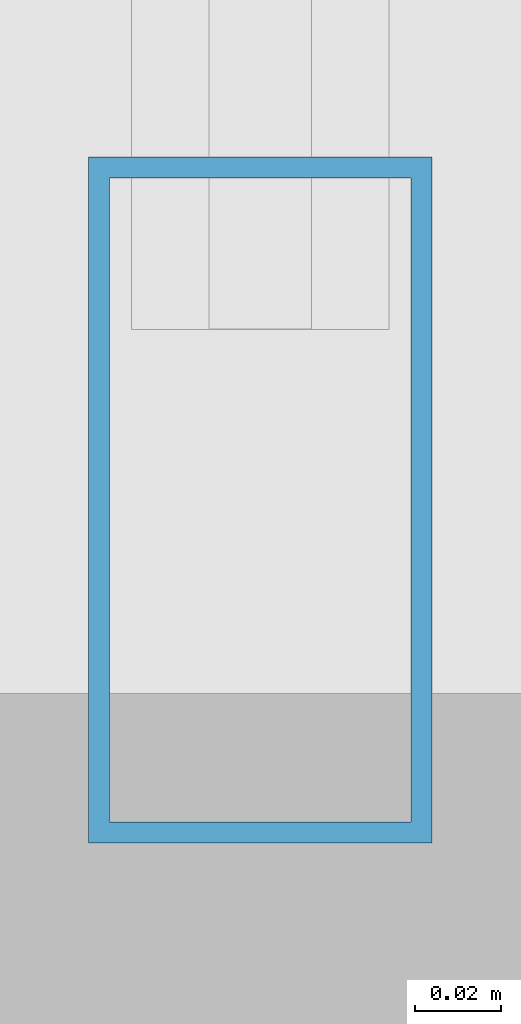
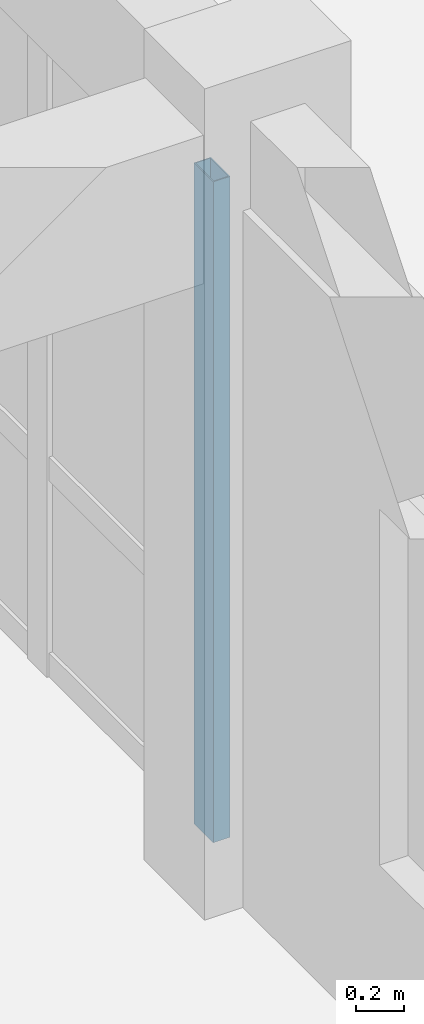
# One storey, part 20 of 121: 1 member, 1 element without a shape of its own.
"""IFC4 building model written with IfcOpenShell, lengths in metres."""

from ifc_helpers import new_model, si_unit, direction, frame, origin, origin_2d, place, context, subcontext, project, spatial, hollow_rectangle, extrude, material, material_profile, profile_set, type_object, element, aggregate, save


model = new_model("IFC4")

# Units and contexts
model_context = context("Model", 3, precision=1e-05, world=origin(), true_north=direction((0.0, 1.0)))
body_context = subcontext(model_context, "Body", "Model", "MODEL_VIEW")
ifc_project = project(units=[si_unit("LENGTHUNIT", "METRE"), si_unit("AREAUNIT", "SQUARE_METRE"), si_unit("VOLUMEUNIT", "CUBIC_METRE"), si_unit("PLANEANGLEUNIT", "RADIAN"), si_unit("MASSUNIT", "GRAM", prefix="KILO")], contexts=[model_context])

# Site, building, storey
site_placement = place(None, origin())
site = spatial("IfcSite", under=ifc_project, at=site_placement, CompositionType="ELEMENT")
building_placement = place(site_placement, origin())
building = spatial("IfcBuilding", under=site, at=building_placement, Name="Kharva Crest Polytechnic", CompositionType="ELEMENT")
storey_placement = place(building_placement, frame((0.0, 0.0, 13.199951171875)))
storey = spatial("IfcBuildingStorey", under=building, at=storey_placement, Name="L03", CompositionType="ELEMENT", Elevation=13.199951171875)

# Curtain wall, member
ifc_material_1 = material(Name="Tempered insulated glass", Category="glass")
curtain_wall_type = type_object("IfcCurtainWallType", Name="CW-SYS-COURT", PredefinedType="USERDEFINED", material=ifc_material_1)
curtain_wall_placement = place(storey_placement, origin())
curtain_wall = element("IfcCurtainWall", 1, at=curtain_wall_placement, inside=storey, type_object=curtain_wall_type, Name="L03 Glazed Curtain Wall CW-125", ObjectType="CURTAIN WALL", PredefinedType="USERDEFINED")
ifc_material_2 = material(Name="Steel S355", Category="steel")
ifc_material_profile = material_profile(ifc_material_2, hollow_rectangle(XDim=0.080078125, YDim=0.159912109375, WallThickness=0.0048828125, at=origin_2d()), Name="RHS 160X80X5.0")
ifc_profile_set = profile_set([ifc_material_profile], Name="Steel S355")
member_type = type_object("IfcMemberType", Name="CWM-RHS160X80", PredefinedType="MULLION", material=ifc_profile_set)
member_placement = place(storey_placement, frame((56.0, 15.4951171875, 0.0), z_axis=(0.0, 0.0, 1.0), x_axis=(-1.0, 0.0, 0.0)))
member = element("IfcMember", 2, at=member_placement, type_object=member_type, Name="CW-125 mullion 1", PredefinedType="MULLION", context=body_context, shape_type="SweptSolid", body=[
    extrude(hollow_rectangle(XDim=0.080078125, YDim=0.159912109375, WallThickness=0.0048828125, at=origin_2d()), origin(), (0.0, 0.0, 1.0), 3.340087890625),
])
aggregate(curtain_wall, [member])

save(model, "model.ifc")
